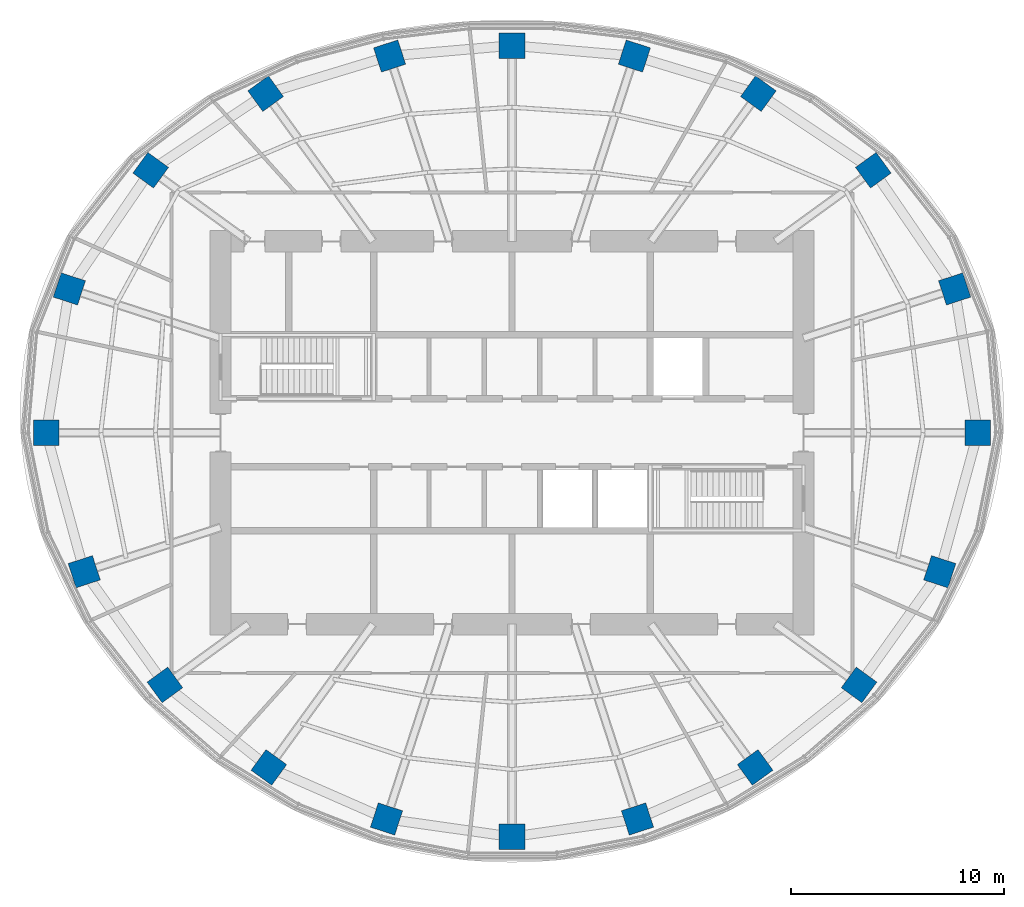
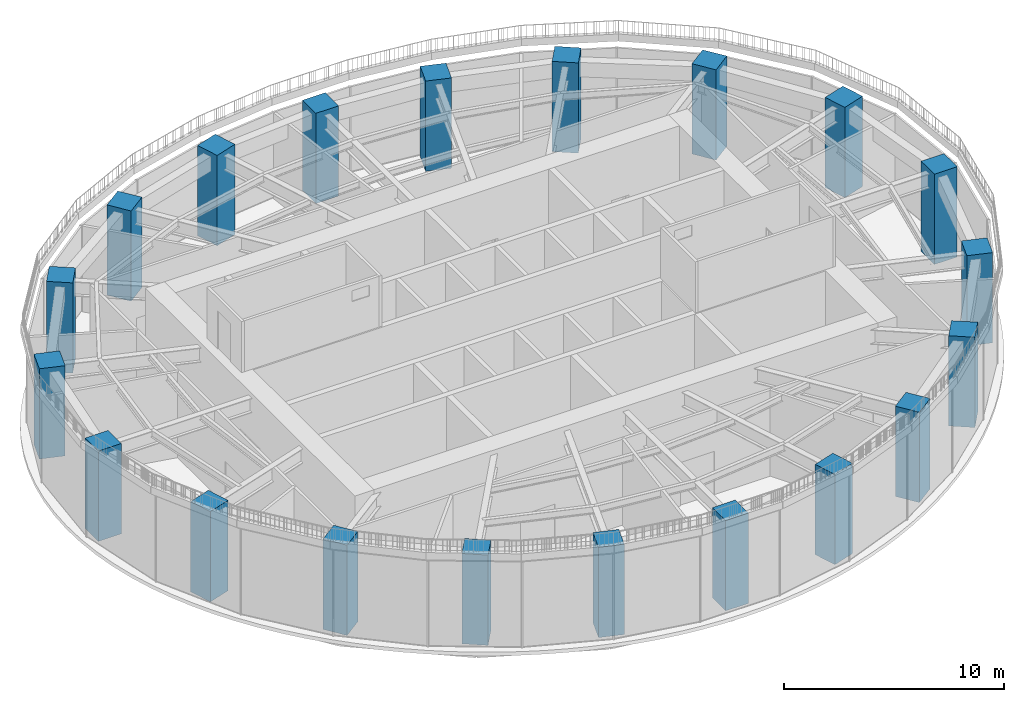
# One storey, part 1 of 19: 20 columns.
"""IFC4 building model written with IfcOpenShell, lengths in metres."""

from ifc_helpers import new_model, si_unit, direction, frame, origin, origin_2d, place, context, subcontext, project, spatial, rectangle, extrude, material, material_profile, profile_set, type_object, element, save


model = new_model("IFC4")

# Units and contexts
model_context = context("Model", 3, precision=1e-05, world=origin(), true_north=direction((0.0, 1.0)))
body_context = subcontext(model_context, "Body", "Model", "MODEL_VIEW")
ifc_project = project(units=[si_unit("LENGTHUNIT", "METRE"), si_unit("AREAUNIT", "SQUARE_METRE"), si_unit("VOLUMEUNIT", "CUBIC_METRE"), si_unit("PLANEANGLEUNIT", "RADIAN"), si_unit("MASSUNIT", "GRAM", prefix="KILO")], contexts=[model_context])

# Site, building, storey
site_placement = place(None, origin())
site = spatial("IfcSite", under=ifc_project, at=site_placement, CompositionType="ELEMENT")
building_placement = place(site_placement, origin())
building = spatial("IfcBuilding", under=site, at=building_placement, Name="Marramba Exchange Tower", CompositionType="ELEMENT")
storey_placement = place(building_placement, frame((0.0, 0.0, 277.0)))
storey = spatial("IfcBuildingStorey", under=building, at=storey_placement, Name="L67", CompositionType="ELEMENT", Elevation=277.0)

# Columns
ifc_material = material(Name="Concrete N50", Category="concrete")
ifc_material_profile = material_profile(ifc_material, rectangle(XDim=1.199951171875, YDim=1.199951171875, at=origin_2d()), Name="RC 1200x1200")
ifc_profile_set = profile_set([ifc_material_profile], Name="Concrete N50")
column_type = type_object("IfcColumnType", Name="Perimeter column RC 1200x1200 N50", PredefinedType="COLUMN", material=ifc_profile_set)
for number, where, z_axis, x_axis, name in (
    (1, (21.89990234375, 0.0, 0.0), (0.0, 0.0, 1.0), (1.0, 0.0, 0.0), "Column TC01 L67"),
    (2, (20.808349609375, 6.760986328125, 0.0), (0.0, 0.0, 1.0), (0.951056516295, 0.309016994375, 0.0), "Column TC02 L67"),
    (3, (16.98583984375, 12.3408203125, 0.0), (0.0, 0.0, 1.0), (0.809016994375, 0.587785252292, 0.0), "Column TC03 L67"),
    (4, (11.581298828125, 15.9404296875, 0.0), (0.0, 0.0, 1.0), (0.587785252292, 0.809016994375, 0.0), "Column TC04 L67"),
    (5, (5.75390625, 17.70849609375, 0.0), (0.0, 0.0, 1.0), (0.309016994375, 0.951056516295, 0.0), "Column TC05 L67"),
    (6, (0.0, 18.2041015625, 0.0), (0.0, 0.0, 1.0), (0.0, 1.0, 0.0), "Column TC06 L67"),
    (7, (-5.75390625, 17.70849609375, 0.0), (0.0, 0.0, 1.0), (-0.309016994375, 0.951056516295, 0.0), "Column TC07 L67"),
    (8, (-11.581298828125, 15.9404296875, 0.0), (0.0, 0.0, 1.0), (-0.587785252292, 0.809016994375, 0.0), "Column TC08 L67"),
    (9, (-16.98583984375, 12.3408203125, 0.0), (0.0, 0.0, 1.0), (-0.809016994375, 0.587785252292, 0.0), "Column TC09 L67"),
    (10, (-20.808349609375, 6.760986328125, 0.0), (0.0, 0.0, 1.0), (-0.951056516295, 0.309016994375, 0.0), "Column TC10 L67"),
    (11, (-21.89990234375, 0.0, 0.0), (0.0, 0.0, 1.0), (-1.0, 0.0, 0.0), "Column TC11 L67"),
    (12, (-20.109375, -6.533935546875, 0.0), (0.0, 0.0, 1.0), (-0.951056516295, -0.309016994375, 0.0), "Column TC12 L67"),
    (13, (-16.3154296875, -11.853759765625, 0.0), (0.0, 0.0, 1.0), (-0.809016994375, -0.587785252292, 0.0), "Column TC13 L67"),
    (14, (-11.430419921875, -15.732666015625, 0.0), (0.0, 0.0, 1.0), (-0.587785252292, -0.809016994375, 0.0), "Column TC14 L67"),
    (15, (-5.899658203125, -18.156982421875, 0.0), (0.0, 0.0, 1.0), (-0.309016994375, -0.951056516295, 0.0), "Column TC15 L67"),
    (16, (0.0, -18.99609375, 0.0), (0.0, 0.0, 1.0), (0.0, -1.0, 0.0), "Column TC16 L67"),
    (17, (5.899658203125, -18.156982421875, 0.0), (0.0, 0.0, 1.0), (0.309016994375, -0.951056516295, 0.0), "Column TC17 L67"),
    (18, (11.430419921875, -15.732666015625, 0.0), (0.0, 0.0, 1.0), (0.587785252292, -0.809016994375, 0.0), "Column TC18 L67"),
    (19, (16.3154296875, -11.853759765625, 0.0), (0.0, 0.0, 1.0), (0.809016994375, -0.587785252292, 0.0), "Column TC19 L67"),
    (20, (20.109375, -6.533935546875, 0.0), (0.0, 0.0, 1.0), (0.951056516295, -0.309016994375, 0.0), "Column TC20 L67"),
):
    element("IfcColumn", number, at=place(storey_placement, frame(where, z_axis=z_axis, x_axis=x_axis)), inside=storey, type_object=column_type, Name=name, PredefinedType="COLUMN", context=body_context, shape_type="SweptSolid", body=[
        extrude(rectangle(XDim=1.199951171875, YDim=1.199951171875, at=origin_2d()), origin(), (0.0, 0.0, 1.0), 5.0),
    ])

save(model, "model.ifc")
